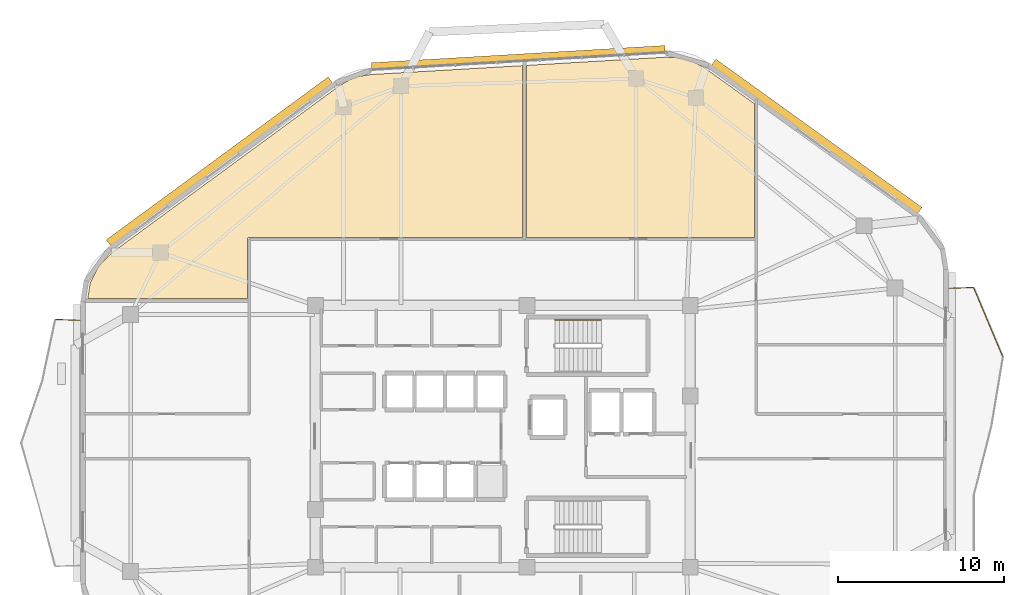
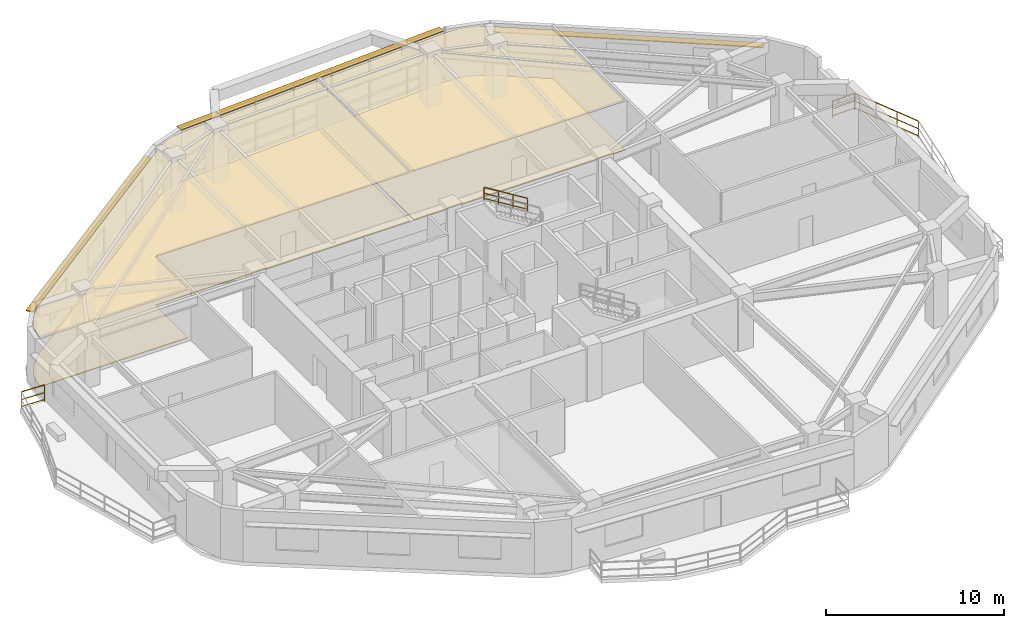
# One storey, part 14 of 15: 4 coverings, 4 railings, 3 shading devices.
"""IFC4 building model written with IfcOpenShell, lengths in metres."""

from ifc_helpers import new_model, si_unit, direction, frame, origin, origin_2d, place, context, subcontext, project, spatial, polyline, rectangle, outline, extrude, material, layer, layer_set, type_object, element, save


model = new_model("IFC4")

# Units and contexts
model_context = context("Model", 3, precision=1e-05, world=origin(), true_north=direction((0.0, 1.0)))
body_context = subcontext(model_context, "Body", "Model", "MODEL_VIEW")
ifc_project = project(units=[si_unit("LENGTHUNIT", "METRE"), si_unit("AREAUNIT", "SQUARE_METRE"), si_unit("VOLUMEUNIT", "CUBIC_METRE"), si_unit("PLANEANGLEUNIT", "RADIAN"), si_unit("MASSUNIT", "GRAM", prefix="KILO")], contexts=[model_context])

# Site, building, storey
site_placement = place(None, origin())
site = spatial("IfcSite", under=ifc_project, at=site_placement, CompositionType="ELEMENT")
building_placement = place(site_placement, origin())
building = spatial("IfcBuilding", under=site, at=building_placement, Name="Zulverin Broadcast Headquarters", CompositionType="ELEMENT")
storey_placement = place(building_placement, frame((0.0, 0.0, 193.39990234375)))
storey = spatial("IfcBuildingStorey", under=building, at=storey_placement, Name="L49", CompositionType="ELEMENT", Elevation=193.39990234375)

# Coverings
ifc_material_1 = material(Name="Perforated pale-metal acoustic baffle ceiling", Category="aluminium")
ifc_layer_1 = layer(ifc_material_1, 0.0400390625, Name="Perforated pale-metal acoustic baffle ceiling", Category="aluminium")
ifc_layer_set_1 = layer_set([ifc_layer_1], Name="Perforated pale-metal acoustic baffle ceiling")
covering_type_1 = type_object("IfcCoveringType", Name="COV-CEIL-ACOU", PredefinedType="CEILING", material=ifc_layer_set_1)
covering_1_placement = place(storey_placement, frame((0.0, 0.0, 3.360107421875)))
element("IfcCovering", 1, at=covering_1_placement, inside=storey, type_object=covering_type_1, Name="L49 Acoustic Baffle Ceiling 01", PredefinedType="CEILING", context=body_context, shape_type="SweptSolid", body=[
    extrude(outline(polyline([(28.3759765625, 46.864013671875), (27.73193359375, 46.632080078125), (27.1279296875, 46.26806640625), (13.49609375, 36.260009765625), (12.68798828125, 35.444091796875), (12.179931640625, 34.447998046875), (12.028076171875, 33.5), (21.632080078125, 33.5), (21.632080078125, 37.052001953125), (21.632080078125, 37.06396484375), (21.635986328125, 37.075927734375), (21.635986328125, 37.087890625), (21.639892578125, 37.095947265625), (21.64794921875, 37.10791015625), (21.652099609375, 37.1201171875), (21.659912109375, 37.1279296875), (21.66796875, 37.135986328125), (21.676025390625, 37.14404296875), (21.68408203125, 37.152099609375), (21.696044921875, 37.156005859375), (21.7080078125, 37.1640625), (21.716064453125, 37.16796875), (21.72802734375, 37.16796875), (21.739990234375, 37.172119140625), (21.751953125, 37.172119140625), (38.179931640625, 37.172119140625), (38.179931640625, 47.50390625), (29.075927734375, 46.971923828125), (28.3759765625, 46.864013671875)])), origin(), (0.0, 0.0, 1.0), 0.0400390625),
])
covering_2_placement = place(storey_placement, frame((0.0, 0.0, 3.360107421875)))
element("IfcCovering", 2, at=covering_2_placement, inside=storey, type_object=covering_type_1, Name="L49 Acoustic Baffle Ceiling 02", PredefinedType="CEILING", context=body_context, shape_type="SweptSolid", body=[
    extrude(outline(polyline([(52.132080078125, 37.172119140625), (52.132080078125, 45.219970703125), (49.196044921875, 47.33203125), (48.4599609375, 47.739990234375), (47.676025390625, 47.968017578125), (46.840087890625, 48.01611328125), (38.419921875, 47.52001953125), (38.419921875, 37.172119140625), (52.132080078125, 37.172119140625)])), origin(), (0.0, 0.0, 1.0), 0.0400390625),
])
ifc_material_2 = material(Name="Anti-static broadcast raised access flooring", Category="stone")
ifc_layer_2 = layer(ifc_material_2, 0.050048828125, Name="Anti-static broadcast raised access flooring", Category="stone")
ifc_layer_set_2 = layer_set([ifc_layer_2], Name="Anti-static broadcast raised access flooring")
covering_type_2 = type_object("IfcCoveringType", Name="COV-FLR-RAISED", PredefinedType="FLOORING", material=ifc_layer_set_2)
covering_3_placement = place(storey_placement, origin())
element("IfcCovering", 3, at=covering_3_placement, inside=storey, type_object=covering_type_2, Name="L49 Broadcast Raised Access Flooring 01", PredefinedType="FLOORING", context=body_context, shape_type="SweptSolid", body=[
    extrude(outline(polyline([(28.3759765625, 46.864013671875), (27.73193359375, 46.632080078125), (27.1279296875, 46.26806640625), (13.49609375, 36.260009765625), (12.68798828125, 35.444091796875), (12.179931640625, 34.447998046875), (12.028076171875, 33.5), (21.632080078125, 33.5), (21.632080078125, 37.052001953125), (21.632080078125, 37.06396484375), (21.635986328125, 37.075927734375), (21.635986328125, 37.087890625), (21.639892578125, 37.095947265625), (21.64794921875, 37.10791015625), (21.652099609375, 37.1201171875), (21.659912109375, 37.1279296875), (21.66796875, 37.135986328125), (21.676025390625, 37.14404296875), (21.68408203125, 37.152099609375), (21.696044921875, 37.156005859375), (21.7080078125, 37.1640625), (21.716064453125, 37.16796875), (21.72802734375, 37.16796875), (21.739990234375, 37.172119140625), (21.751953125, 37.172119140625), (38.179931640625, 37.172119140625), (38.179931640625, 47.50390625), (29.075927734375, 46.971923828125), (28.3759765625, 46.864013671875)])), origin(), (0.0, 0.0, 1.0), 0.050048828125),
])
covering_4_placement = place(storey_placement, origin())
element("IfcCovering", 4, at=covering_4_placement, inside=storey, type_object=covering_type_2, Name="L49 Broadcast Raised Access Flooring 02", PredefinedType="FLOORING", context=body_context, shape_type="SweptSolid", body=[
    extrude(outline(polyline([(52.132080078125, 37.172119140625), (52.132080078125, 45.219970703125), (49.196044921875, 47.33203125), (48.4599609375, 47.739990234375), (47.676025390625, 47.968017578125), (46.840087890625, 48.01611328125), (38.419921875, 47.52001953125), (38.419921875, 37.172119140625), (52.132080078125, 37.172119140625)])), origin(), (0.0, 0.0, 1.0), 0.050048828125),
])

# Railings
ifc_material_3 = material(Name="Brushed stainless steel & laminated glass balustrade", Category="steel")
railing_type_1 = type_object("IfcRailingType", Name="RL-GUARD-1150", PredefinedType="GUARDRAIL", material=ifc_material_3)
railing_1_placement = place(storey_placement, frame((67.068115234375, 30.010986328125, 0.0)))
element("IfcRailing", 5, at=railing_1_placement, inside=storey, type_object=railing_type_1, Name="L49 Vertical-Forest Balcony Guardrail BAL_E Segment 05", PredefinedType="GUARDRAIL", context=body_context, shape_type="SweptSolid", body=[
    extrude(rectangle(XDim=0.048095703125, YDim=0.048095703125, at=origin_2d()), frame((0.0, 0.0, 1.1259765625), z_axis=(-0.387811633416, 0.92173864896, 0.0), x_axis=(-0.92173864896, -0.387811633416, 0.0)), (0.0, 0.0, 1.0), 4.492919921875),
    extrude(rectangle(XDim=0.0419921875, YDim=0.0419921875, at=origin_2d()), frame((0.0, 0.0, 0.597900390625), z_axis=(-0.387811633416, 0.92173864896, 0.0), x_axis=(-0.92173864896, -0.387811633416, 0.0)), (0.0, 0.0, 1.0), 4.492919921875),
    extrude(rectangle(XDim=0.0419921875, YDim=0.0419921875, at=origin_2d()), frame((0.0, 0.0, 0.1201171875), z_axis=(-0.387811633416, 0.92173864896, 0.0), x_axis=(-0.92173864896, -0.387811633416, 0.0)), (0.0, 0.0, 1.0), 4.492919921875),
    extrude(rectangle(XDim=0.0419921875, YDim=0.0419921875, at=origin_2d()), origin(), (0.0, 0.0, 1.0), 1.101806640625),
    extrude(rectangle(XDim=0.0419921875, YDim=0.0419921875, at=origin_2d()), frame((-0.580810546875, 1.38037109375, 0.0)), (0.0, 0.0, 1.0), 1.101806640625),
    extrude(rectangle(XDim=0.0419921875, YDim=0.0419921875, at=origin_2d()), frame((-1.16162109375, 2.760986328125, 0.0)), (0.0, 0.0, 1.0), 1.101806640625),
    extrude(rectangle(XDim=0.0419921875, YDim=0.0419921875, at=origin_2d()), frame((-1.742431640625, 4.141357421875, 0.0)), (0.0, 0.0, 1.0), 1.101806640625),
])
railing_2_placement = place(storey_placement, frame((65.304931640625, 34.16552734375, 0.0)))
element("IfcRailing", 6, at=railing_2_placement, inside=storey, type_object=railing_type_1, Name="L49 Vertical-Forest Balcony Guardrail BAL_E Segment 06", PredefinedType="GUARDRAIL", context=body_context, shape_type="SweptSolid", body=[
    extrude(rectangle(XDim=0.048095703125, YDim=0.048095703125, at=origin_2d()), frame((0.0, 0.0, 1.1259765625), z_axis=(-0.99918088253, -0.040466825742, 0.0), x_axis=(0.040466825742, -0.99918088253, 0.0)), (0.0, 0.0, 1.0), 1.466064453125),
    extrude(rectangle(XDim=0.0419921875, YDim=0.0419921875, at=origin_2d()), frame((0.0, 0.0, 0.597900390625), z_axis=(-0.99918088253, -0.040466825742, 0.0), x_axis=(0.040466825742, -0.99918088253, 0.0)), (0.0, 0.0, 1.0), 1.466064453125),
    extrude(rectangle(XDim=0.0419921875, YDim=0.0419921875, at=origin_2d()), frame((0.0, 0.0, 0.1201171875), z_axis=(-0.99918088253, -0.040466825742, 0.0), x_axis=(0.040466825742, -0.99918088253, 0.0)), (0.0, 0.0, 1.0), 1.466064453125),
    extrude(rectangle(XDim=0.0419921875, YDim=0.0419921875, at=origin_2d()), origin(), (0.0, 0.0, 1.0), 1.101806640625),
    extrude(rectangle(XDim=0.0419921875, YDim=0.0419921875, at=origin_2d()), frame((-1.46484375, -0.059326171875, 0.0)), (0.0, 0.0, 1.0), 1.101806640625),
])
railing_3_placement = place(storey_placement, frame((11.56005859375, 32.180419921875, 0.0)))
element("IfcRailing", 7, at=railing_3_placement, inside=storey, type_object=railing_type_1, Name="L49 Vertical-Forest Balcony Guardrail BAL_W Segment 01", PredefinedType="GUARDRAIL", context=body_context, shape_type="SweptSolid", body=[
    extrude(rectangle(XDim=0.048095703125, YDim=0.048095703125, at=origin_2d()), frame((0.0, 0.0, 1.1259765625), z_axis=(-0.999181155166, 0.040460093435, 0.0), x_axis=(-0.040460093435, -0.999181155166, 0.0)), (0.0, 0.0, 1.0), 1.46630859375),
    extrude(rectangle(XDim=0.0419921875, YDim=0.0419921875, at=origin_2d()), frame((0.0, 0.0, 0.597900390625), z_axis=(-0.999181155166, 0.040460093435, 0.0), x_axis=(-0.040460093435, -0.999181155166, 0.0)), (0.0, 0.0, 1.0), 1.46630859375),
    extrude(rectangle(XDim=0.0419921875, YDim=0.0419921875, at=origin_2d()), frame((0.0, 0.0, 0.1201171875), z_axis=(-0.999181155166, 0.040460093435, 0.0), x_axis=(-0.040460093435, -0.999181155166, 0.0)), (0.0, 0.0, 1.0), 1.46630859375),
    extrude(rectangle(XDim=0.0419921875, YDim=0.0419921875, at=origin_2d()), origin(), (0.0, 0.0, 1.0), 1.101806640625),
    extrude(rectangle(XDim=0.0419921875, YDim=0.0419921875, at=origin_2d()), frame((-1.465087890625, 0.059326171875, 0.0)), (0.0, 0.0, 1.0), 1.101806640625),
])
ifc_material_4 = material(Name="Brushed stainless steel 48 mm handrail", Category="steel")
railing_type_2 = type_object("IfcRailingType", Name="RL-ST-HAND", PredefinedType="HANDRAIL", material=ifc_material_4)
railing_4_placement = place(storey_placement, frame((42.929931640625, 32.199951171875, 2.07275390625)))
element("IfcRailing", 8, at=railing_4_placement, inside=storey, type_object=railing_type_2, Name="L49 ST-1 stair handrail 2", PredefinedType="HANDRAIL", context=body_context, shape_type="SweptSolid", body=[
    extrude(rectangle(XDim=0.048095703125, YDim=0.048095703125, at=origin_2d()), frame((0.0, 0.0, 0.8759765625), z_axis=(-0.851089632645, 0.0, 0.525020415988), x_axis=(0.0, -1.0, 0.0)), (0.0, 0.0, 1.0), 3.2900390625),
    extrude(rectangle(XDim=0.0419921875, YDim=0.0419921875, at=origin_2d()), frame((0.0, 0.0, 0.468017578125), z_axis=(-0.851089632645, 0.0, 0.525020415988), x_axis=(0.0, -1.0, 0.0)), (0.0, 0.0, 1.0), 3.2900390625),
    extrude(rectangle(XDim=0.0419921875, YDim=0.0419921875, at=origin_2d()), frame((0.0, 0.0, 0.1201171875), z_axis=(-0.851089632645, 0.0, 0.525020415988), x_axis=(0.0, -1.0, 0.0)), (0.0, 0.0, 1.0), 3.2900390625),
    extrude(rectangle(XDim=0.0419921875, YDim=0.0419921875, at=origin_2d()), origin(), (0.0, 0.0, 1.0), 0.851806640625),
    extrude(rectangle(XDim=0.0419921875, YDim=0.0419921875, at=origin_2d()), frame((-0.933349609375, 0.0, 0.57568359375)), (0.0, 0.0, 1.0), 0.851806640625),
    extrude(rectangle(XDim=0.0419921875, YDim=0.0419921875, at=origin_2d()), frame((-1.86669921875, 0.0, 1.151611328125)), (0.0, 0.0, 1.0), 0.851806640625),
    extrude(rectangle(XDim=0.0419921875, YDim=0.0419921875, at=origin_2d()), frame((-2.800048828125, 0.0, 1.727294921875)), (0.0, 0.0, 1.0), 0.851806640625),
])

# Shading devices
ifc_material_5 = material(Name="Anodized pale-metal aluminium sunshade", Category="aluminium")
ifc_layer_3 = layer(ifc_material_5, 0.06005859375, Name="Anodized pale-metal aluminium sunshade", Category="aluminium")
ifc_layer_set_3 = layer_set([ifc_layer_3], Name="Anodized pale-metal aluminium sunshade")
shading_device_type = type_object("IfcShadingDeviceType", Name="SS-01_PALE_METAL_ALUMINIUM_SUNSHADE", PredefinedType="USERDEFINED", material=ifc_layer_set_3)
shading_device_1_placement = place(storey_placement, frame((55.889404296875, 43.254150390625, 2.7099609375), z_axis=(0.0, 0.0, 1.0), x_axis=(-0.811723852333, 0.58404142623, 0.0)))
element("IfcShadingDevice", 9, at=shading_device_1_placement, inside=storey, type_object=shading_device_type, Name="L49 Horizontal Pale-Metal Sunshade Band 4", ObjectType="SUNSHADE", PredefinedType="USERDEFINED", context=body_context, shape_type="SweptSolid", body=[
    extrude(rectangle(XDim=15.279296875, YDim=0.449951171875, at=origin_2d()), origin(), (0.0, 0.0, 1.0), 0.06005859375),
])
shading_device_2_placement = place(storey_placement, frame((37.93212890625, 47.972900390625, 3.31005859375), z_axis=(0.0, 0.0, 1.0), x_axis=(-0.998274332859, -0.058722707319, 0.0)))
element("IfcShadingDevice", 10, at=shading_device_2_placement, inside=storey, type_object=shading_device_type, Name="L49 Pale-Metal Horizontal Sunshade Band CW-L49-E5", ObjectType="SUNSHADE", PredefinedType="USERDEFINED", context=body_context, shape_type="SweptSolid", body=[
    extrude(rectangle(XDim=17.693115234375, YDim=0.449951171875, at=origin_2d()), origin(), (0.0, 0.0, 1.0), 0.06005859375),
])
shading_device_3_placement = place(storey_placement, frame((19.94970703125, 41.743896484375, 2.7099609375), z_axis=(0.0, 0.0, 1.0), x_axis=(-0.806096670674, -0.591783877382, 0.0)))
element("IfcShadingDevice", 11, at=shading_device_3_placement, inside=storey, type_object=shading_device_type, Name="L49 Horizontal Pale-Metal Sunshade Band 6", ObjectType="SUNSHADE", PredefinedType="USERDEFINED", context=body_context, shape_type="SweptSolid", body=[
    extrude(rectangle(XDim=16.558837890625, YDim=0.449951171875, at=origin_2d()), origin(), (0.0, 0.0, 1.0), 0.06005859375),
])

save(model, "model.ifc")
